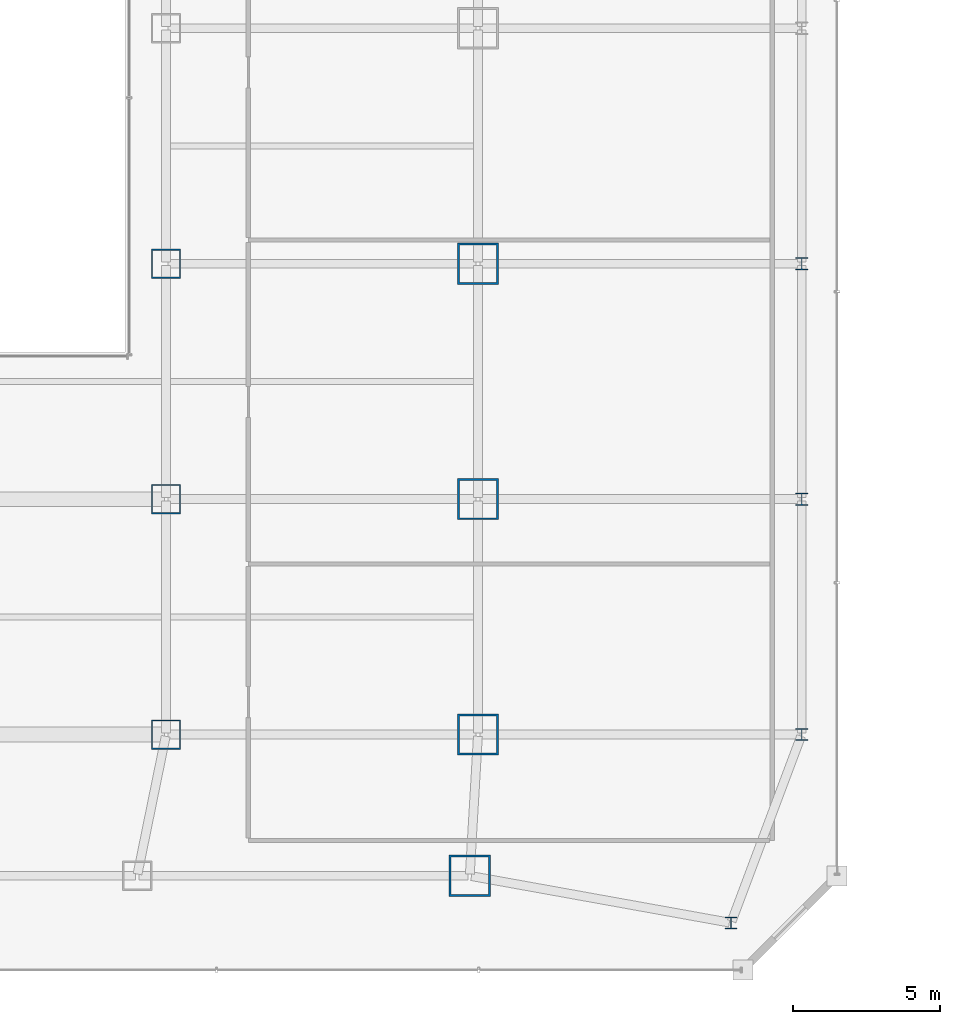
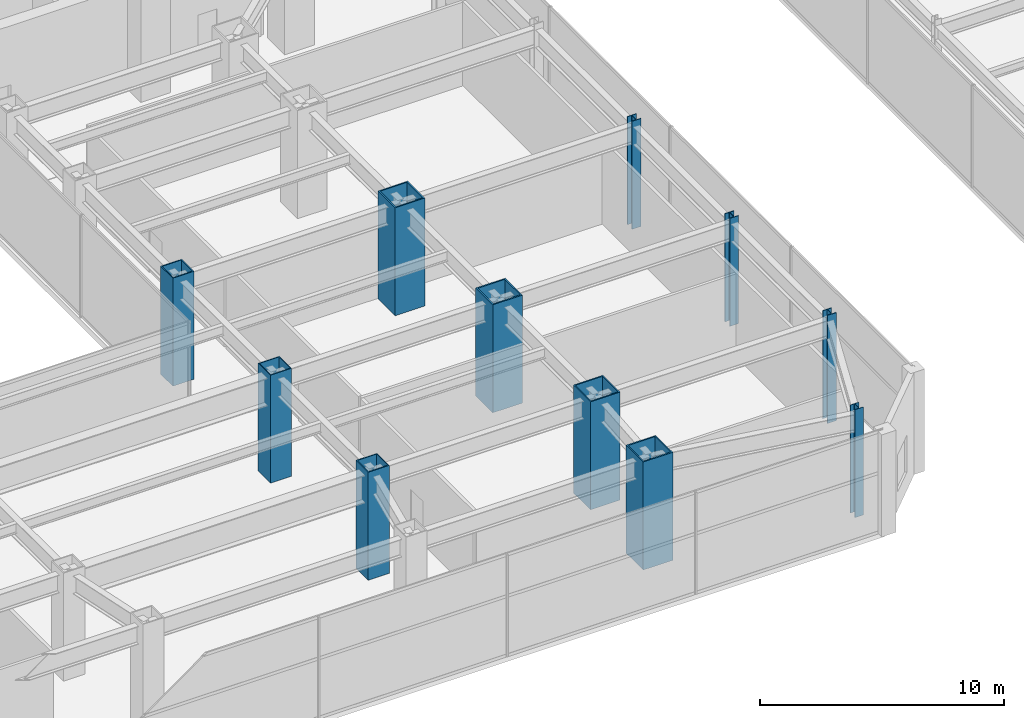
# One storey, part 2 of 52: 11 columns.
"""IFC4 building model written with IfcOpenShell, lengths in metres."""

from ifc_helpers import new_model, si_unit, direction, frame, origin, origin_2d, place, context, subcontext, project, spatial, hollow_rectangle, i_section, extrude, material, material_profile, profile_set, type_object, element, save


model = new_model("IFC4")

# Units and contexts
model_context = context("Model", 3, precision=1e-05, world=origin(), true_north=direction((0.0, 1.0)))
body_context = subcontext(model_context, "Body", "Model", "MODEL_VIEW")
ifc_project = project(units=[si_unit("LENGTHUNIT", "METRE"), si_unit("AREAUNIT", "SQUARE_METRE"), si_unit("VOLUMEUNIT", "CUBIC_METRE"), si_unit("PLANEANGLEUNIT", "RADIAN"), si_unit("MASSUNIT", "GRAM", prefix="KILO")], contexts=[model_context])

# Site, building, storey
site_placement = place(None, origin())
site = spatial("IfcSite", under=ifc_project, at=site_placement, CompositionType="ELEMENT")
building_placement = place(site_placement, origin())
building = spatial("IfcBuilding", under=site, at=building_placement, Name="Saevonmaru Cultural Tower", CompositionType="ELEMENT")
storey_placement = place(building_placement, frame((0.0, 0.0, 16.800048828125)))
storey = spatial("IfcBuildingStorey", under=building, at=storey_placement, Name="L03", CompositionType="ELEMENT", Elevation=16.800048828125)

# Columns
ifc_material_1 = material(Name="Steel SM420", Category="steel")
ifc_material_profile_1 = material_profile(ifc_material_1, hollow_rectangle(XDim=1.0, YDim=1.0, WallThickness=0.044921875, at=origin_2d()), Name="BOX-1000x1000x45")
ifc_profile_set_1 = profile_set([ifc_material_profile_1], Name="Steel SM420")
column_type_1 = type_object("IfcColumnType", Name="COL-BOX-1000", PredefinedType="COLUMN", material=ifc_profile_set_1)
for number, where, z_axis, x_axis, name in (
    (1, (37.199951171875, 8.0, 0.0), (0.0, 0.0, 1.0), (1.0, 0.0, 0.0), "L03 Column PC-E2-B"),
    (2, (37.199951171875, 16.0, 0.0), (0.0, 0.0, 1.0), (1.0, 0.0, 0.0), "L03 Column PC-E2-C"),
    (3, (37.199951171875, 24.0, 0.0), (0.0, 0.0, 1.0), (1.0, 0.0, 0.0), "L03 Column PC-E2-D"),
):
    element("IfcColumn", number, at=place(storey_placement, frame(where, z_axis=z_axis, x_axis=x_axis)), inside=storey, type_object=column_type_1, Name=name, PredefinedType="COLUMN", context=body_context, shape_type="SweptSolid", body=[
        extrude(hollow_rectangle(XDim=1.0, YDim=1.0, WallThickness=0.044921875, at=origin_2d()), origin(), (0.0, 0.0, 1.0), 5.39990234375),
    ])
ifc_material_2 = material(Name="Steel HSA600 (600 MPa)", Category="steel")
ifc_material_profile_2 = material_profile(ifc_material_2, hollow_rectangle(XDim=1.39990234375, YDim=1.39990234375, WallThickness=0.06494140625, at=origin_2d()), Name="BOX-1400x1400x65")
ifc_profile_set_2 = profile_set([ifc_material_profile_2], Name="Steel HSA600 (600 MPa)")
column_type_2 = type_object("IfcColumnType", Name="COL-BOX-1400", PredefinedType="COLUMN", material=ifc_profile_set_2)
for number, where, z_axis, x_axis, name in (
    (4, (47.52001953125, 3.199951171875, 0.0), (0.0, 0.0, 1.0), (1.0, 0.0, 0.0), "L03 Column PC-E1-A"),
    (5, (47.800048828125, 8.0, 0.0), (0.0, 0.0, 1.0), (1.0, 0.0, 0.0), "L03 Column PC-E1-B"),
    (6, (47.800048828125, 16.0, 0.0), (0.0, 0.0, 1.0), (1.0, 0.0, 0.0), "L03 Column PC-E1-C"),
    (7, (47.800048828125, 24.0, 0.0), (0.0, 0.0, 1.0), (1.0, 0.0, 0.0), "L03 Column PC-E1-D"),
):
    element("IfcColumn", number, at=place(storey_placement, frame(where, z_axis=z_axis, x_axis=x_axis)), inside=storey, type_object=column_type_2, Name=name, PredefinedType="COLUMN", context=body_context, shape_type="SweptSolid", body=[
        extrude(hollow_rectangle(XDim=1.39990234375, YDim=1.39990234375, WallThickness=0.06494140625, at=origin_2d()), origin(), (0.0, 0.0, 1.0), 5.39990234375),
    ])
ifc_material_3 = material(Name="Steel SM355", Category="steel")
ifc_material_profile_3 = material_profile(ifc_material_3, i_section(OverallWidth=0.39990234375, OverallDepth=0.39990234375, WebThickness=0.012939453125, FlangeThickness=0.02099609375, FilletRadius=0.02197265625, at=origin_2d()), Name="H-400x400x13x21")
ifc_profile_set_3 = profile_set([ifc_material_profile_3], Name="Steel SM355")
column_type_3 = type_object("IfcColumnType", Name="COL-H-400", PredefinedType="COLUMN", material=ifc_profile_set_3)
column_placement = place(storey_placement, frame((56.39990234375, 1.60009765625, 0.0), z_axis=(0.0, 0.0, 1.0), x_axis=(1.0, 0.0, 0.0)))
element("IfcColumn", 8, at=column_placement, inside=storey, type_object=column_type_3, Name="L03 Column PC-PS-SE", PredefinedType="COLUMN", context=body_context, shape_type="SweptSolid", body=[
    extrude(i_section(OverallWidth=0.39990234375, OverallDepth=0.39990234375, WebThickness=0.012939453125, FlangeThickness=0.02099609375, FilletRadius=0.02197265625, at=origin_2d()), origin(), (0.0, 0.0, 1.0), 5.39990234375),
])
ifc_material_profile_4 = material_profile(ifc_material_1, i_section(OverallWidth=0.419921875, OverallDepth=0.419921875, WebThickness=0.02001953125, FlangeThickness=0.034912109375, FilletRadius=0.02197265625, at=origin_2d()), Name="H-428x407x20x35")
ifc_profile_set_4 = profile_set([ifc_material_profile_4], Name="Steel SM420")
column_type_4 = type_object("IfcColumnType", Name="COL-H-428", PredefinedType="COLUMN", material=ifc_profile_set_4)
for number, where, z_axis, x_axis, name in (
    (9, (58.800048828125, 8.0, 0.0), (0.0, 0.0, 1.0), (1.0, 0.0, 0.0), "L03 Column PC-PE-B"),
    (10, (58.800048828125, 16.0, 0.0), (0.0, 0.0, 1.0), (1.0, 0.0, 0.0), "L03 Column PC-PE-C"),
    (11, (58.800048828125, 24.0, 0.0), (0.0, 0.0, 1.0), (1.0, 0.0, 0.0), "L03 Column PC-PE-D"),
):
    element("IfcColumn", number, at=place(storey_placement, frame(where, z_axis=z_axis, x_axis=x_axis)), inside=storey, type_object=column_type_4, Name=name, PredefinedType="COLUMN", context=body_context, shape_type="SweptSolid", body=[
        extrude(i_section(OverallWidth=0.419921875, OverallDepth=0.419921875, WebThickness=0.02001953125, FlangeThickness=0.034912109375, FilletRadius=0.02197265625, at=origin_2d()), origin(), (0.0, 0.0, 1.0), 5.39990234375),
    ])

save(model, "model.ifc")
